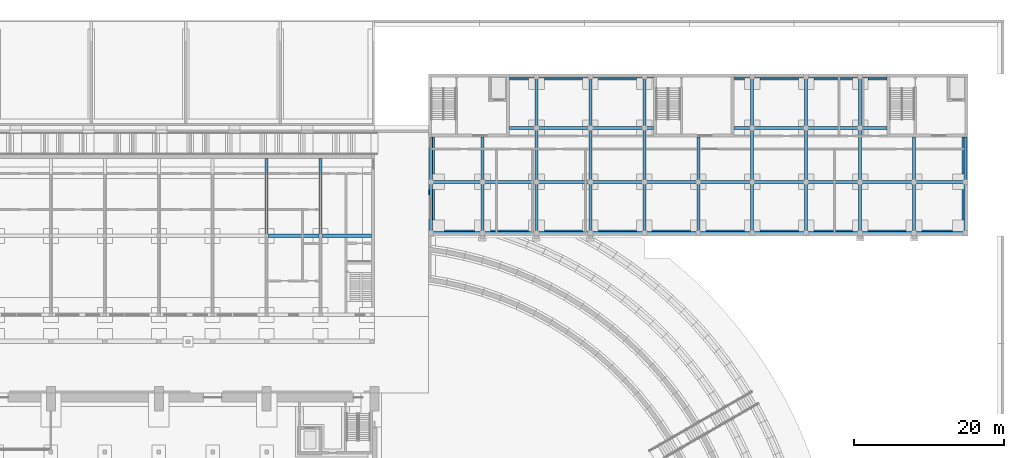
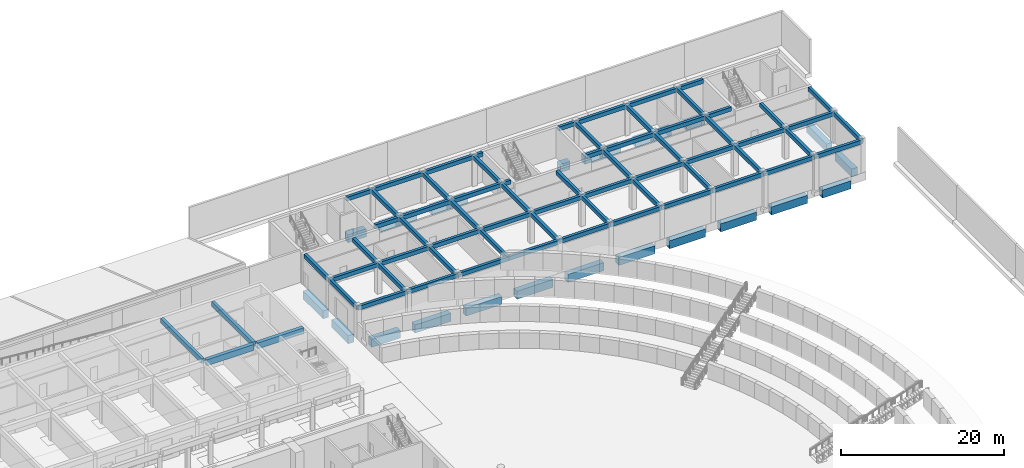
# One storey, part 22 of 73: 89 beams.
"""IFC4 building model written with IfcOpenShell, lengths in metres."""

from ifc_helpers import new_model, si_unit, direction, frame, origin, origin_2d, place, context, subcontext, project, spatial, rectangle, extrude, material, material_profile, profile_set, type_object, element, save


model = new_model("IFC4")

# Units and contexts
model_context = context("Model", 3, precision=1e-05, world=origin(), true_north=direction((0.0, 1.0)))
body_context = subcontext(model_context, "Body", "Model", "MODEL_VIEW")
ifc_project = project(units=[si_unit("LENGTHUNIT", "METRE"), si_unit("AREAUNIT", "SQUARE_METRE"), si_unit("VOLUMEUNIT", "CUBIC_METRE"), si_unit("PLANEANGLEUNIT", "RADIAN"), si_unit("MASSUNIT", "GRAM", prefix="KILO")], contexts=[model_context])

# Site, building, storey
site_placement = place(None, origin())
site = spatial("IfcSite", under=ifc_project, at=site_placement, CompositionType="ELEMENT")
building_placement = place(site_placement, origin())
building = spatial("IfcBuilding", under=site, at=building_placement, Name="Alderwick Market Hall", CompositionType="ELEMENT")
storey_placement = place(building_placement, origin())
storey = spatial("IfcBuildingStorey", under=building, at=storey_placement, Name="LG", CompositionType="ELEMENT", Elevation=0.0)

# Beams
ifc_material = material(Name="Concrete 5000 psi (f'c 35 MPa)", Category="concrete")
ifc_material_profile_1 = material_profile(ifc_material, rectangle(XDim=0.39990234375, YDim=0.699951171875, at=origin_2d()), Name="A RC Cross Beam 400x700")
ifc_profile_set_1 = profile_set([ifc_material_profile_1], Name="Concrete 5000 psi (f'c 35 MPa)")
beam_type_1 = type_object("IfcBeamType", Name="A RC Cross Beam 400x700", PredefinedType="BEAM", material=ifc_profile_set_1)
for number, where, z_axis, x_axis, name in (
    (1, (136.800048828125, 129.85009765625, 4.050048828125), (0.0, 1.0, 0.0), (-1.0, 0.0, 0.0), "A.N.beam.X111"),
    (2, (144.0, 129.85009765625, 4.050048828125), (0.0, 1.0, 0.0), (-1.0, 0.0, 0.0), "A.N.beam.X121"),
):
    element("IfcBeam", number, at=place(storey_placement, frame(where, z_axis=z_axis, x_axis=x_axis)), inside=storey, type_object=beam_type_1, Name=name, PredefinedType="BEAM", context=body_context, shape_type="SweptSolid", body=[
        extrude(rectangle(XDim=0.39990234375, YDim=0.699951171875, at=origin_2d()), origin(), (0.0, 0.0, 1.0), 10.0498046875),
    ])
ifc_material_profile_2 = material_profile(ifc_material, rectangle(XDim=0.5, YDim=0.89990234375, at=origin_2d()), Name="A RC Ridge Beam 500x900")
ifc_profile_set_2 = profile_set([ifc_material_profile_2], Name="Concrete 5000 psi (f'c 35 MPa)")
beam_type_2 = type_object("IfcBeamType", Name="A RC Ridge Beam 500x900", PredefinedType="BEAM", material=ifc_profile_set_2)
beam_1_placement = place(storey_placement, frame((137.050048828125, 129.60009765625, 3.949951171875), z_axis=(1.0, 0.0, 0.0), x_axis=(0.0, 1.0, 0.0)))
element("IfcBeam", 3, at=beam_1_placement, inside=storey, type_object=beam_type_2, Name="A.N.beam.R12", PredefinedType="BEAM", context=body_context, shape_type="SweptSolid", body=[
    extrude(rectangle(XDim=0.5, YDim=0.89990234375, at=origin_2d()), origin(), (0.0, 0.0, 1.0), 6.699951171875),
])
beam_2_placement = place(storey_placement, frame((144.25, 129.60009765625, 3.949951171875), z_axis=(1.0, 0.0, 0.0), x_axis=(0.0, 1.0, 0.0)))
element("IfcBeam", 4, at=beam_2_placement, inside=storey, type_object=beam_type_2, Name="A.N.beam.R13", PredefinedType="BEAM", context=body_context, shape_type="SweptSolid", body=[
    extrude(rectangle(XDim=0.5, YDim=0.89990234375, at=origin_2d()), origin(), (0.0, 0.0, 1.0), 6.550048828125),
])
ifc_material_profile_3 = material_profile(ifc_material, rectangle(XDim=0.39990234375, YDim=0.60009765625, at=origin_2d()), Name="RC 400x600")
ifc_profile_set_3 = profile_set([ifc_material_profile_3], Name="Concrete 5000 psi (f'c 35 MPa)")
beam_type_3 = type_object("IfcBeamType", Name="F Floor Beam RC 400x600", PredefinedType="BEAM", material=ifc_profile_set_3)
beam_3_placement = place(storey_placement, frame((158.75, 129.949951171875, 4.25), z_axis=(1.0, 0.0, 0.0), x_axis=(0.0, 1.0, 0.0)))
element("IfcBeam", 5, at=beam_3_placement, inside=storey, type_object=beam_type_3, Name="F.beam.LG.001", PredefinedType="BEAM", context=body_context, shape_type="SweptSolid", body=[
    extrude(rectangle(XDim=0.39990234375, YDim=0.60009765625, at=origin_2d()), origin(), (0.0, 0.0, 1.0), 6.85009765625),
])
for number, where, z_axis, x_axis, name in (
    (6, (165.60009765625, 129.949951171875, 4.25), (1.0, 0.0, 0.0), (0.0, 1.0, 0.0), "F.beam.LG.002"),
    (7, (172.800048828125, 129.949951171875, 4.25), (1.0, 0.0, 0.0), (0.0, 1.0, 0.0), "F.beam.LG.003"),
    (8, (180.0, 129.949951171875, 4.25), (1.0, 0.0, 0.0), (0.0, 1.0, 0.0), "F.beam.LG.004"),
    (9, (187.199951171875, 129.949951171875, 4.25), (1.0, 0.0, 0.0), (0.0, 1.0, 0.0), "F.beam.LG.005"),
):
    element("IfcBeam", number, at=place(storey_placement, frame(where, z_axis=z_axis, x_axis=x_axis)), inside=storey, type_object=beam_type_3, Name=name, PredefinedType="BEAM", context=body_context, shape_type="SweptSolid", body=[
        extrude(rectangle(XDim=0.39990234375, YDim=0.60009765625, at=origin_2d()), origin(), (0.0, 0.0, 1.0), 7.199951171875),
    ])
beam_4_placement = place(storey_placement, frame((194.39990234375, 129.949951171875, 4.25), z_axis=(1.0, 0.0, 0.0), x_axis=(0.0, 1.0, 0.0)))
element("IfcBeam", 10, at=beam_4_placement, inside=storey, type_object=beam_type_3, Name="F.beam.LG.006", PredefinedType="BEAM", context=body_context, shape_type="SweptSolid", body=[
    extrude(rectangle(XDim=0.39990234375, YDim=0.60009765625, at=origin_2d()), origin(), (0.0, 0.0, 1.0), 7.2001953125),
])
for number, where, z_axis, x_axis, name in (
    (11, (201.60009765625, 129.949951171875, 4.25), (1.0, 0.0, 0.0), (0.0, 1.0, 0.0), "F.beam.LG.007"),
    (12, (208.800048828125, 129.949951171875, 4.25), (1.0, 0.0, 0.0), (0.0, 1.0, 0.0), "F.beam.LG.008"),
    (13, (216.0, 129.949951171875, 4.25), (1.0, 0.0, 0.0), (0.0, 1.0, 0.0), "F.beam.LG.009"),
):
    element("IfcBeam", number, at=place(storey_placement, frame(where, z_axis=z_axis, x_axis=x_axis)), inside=storey, type_object=beam_type_3, Name=name, PredefinedType="BEAM", context=body_context, shape_type="SweptSolid", body=[
        extrude(rectangle(XDim=0.39990234375, YDim=0.60009765625, at=origin_2d()), origin(), (0.0, 0.0, 1.0), 7.199951171875),
    ])
for number, where, z_axis, x_axis, name in (
    (14, (223.199951171875, 129.949951171875, 4.25), (1.0, 0.0, 0.0), (0.0, 1.0, 0.0), "F.beam.LG.010"),
    (15, (158.75, 136.800048828125, 4.25), (1.0, 0.0, 0.0), (0.0, 1.0, 0.0), "F.beam.LG.011"),
):
    element("IfcBeam", number, at=place(storey_placement, frame(where, z_axis=z_axis, x_axis=x_axis)), inside=storey, type_object=beam_type_3, Name=name, PredefinedType="BEAM", context=body_context, shape_type="SweptSolid", body=[
        extrude(rectangle(XDim=0.39990234375, YDim=0.60009765625, at=origin_2d()), origin(), (0.0, 0.0, 1.0), 6.85009765625),
    ])
for number, where, z_axis, x_axis, name in (
    (16, (165.60009765625, 136.800048828125, 4.25), (1.0, 0.0, 0.0), (0.0, 1.0, 0.0), "F.beam.LG.012"),
    (17, (172.800048828125, 136.800048828125, 4.25), (1.0, 0.0, 0.0), (0.0, 1.0, 0.0), "F.beam.LG.013"),
    (18, (180.0, 136.800048828125, 4.25), (1.0, 0.0, 0.0), (0.0, 1.0, 0.0), "F.beam.LG.014"),
    (19, (187.199951171875, 136.800048828125, 4.25), (1.0, 0.0, 0.0), (0.0, 1.0, 0.0), "F.beam.LG.015"),
):
    element("IfcBeam", number, at=place(storey_placement, frame(where, z_axis=z_axis, x_axis=x_axis)), inside=storey, type_object=beam_type_3, Name=name, PredefinedType="BEAM", context=body_context, shape_type="SweptSolid", body=[
        extrude(rectangle(XDim=0.39990234375, YDim=0.60009765625, at=origin_2d()), origin(), (0.0, 0.0, 1.0), 7.199951171875),
    ])
beam_5_placement = place(storey_placement, frame((194.39990234375, 136.800048828125, 4.25), z_axis=(1.0, 0.0, 0.0), x_axis=(0.0, 1.0, 0.0)))
element("IfcBeam", 20, at=beam_5_placement, inside=storey, type_object=beam_type_3, Name="F.beam.LG.016", PredefinedType="BEAM", context=body_context, shape_type="SweptSolid", body=[
    extrude(rectangle(XDim=0.39990234375, YDim=0.60009765625, at=origin_2d()), origin(), (0.0, 0.0, 1.0), 7.2001953125),
])
for number, where, z_axis, x_axis, name in (
    (21, (201.60009765625, 136.800048828125, 4.25), (1.0, 0.0, 0.0), (0.0, 1.0, 0.0), "F.beam.LG.017"),
    (22, (208.800048828125, 136.800048828125, 4.25), (1.0, 0.0, 0.0), (0.0, 1.0, 0.0), "F.beam.LG.018"),
    (23, (216.0, 136.800048828125, 4.25), (1.0, 0.0, 0.0), (0.0, 1.0, 0.0), "F.beam.LG.019"),
):
    element("IfcBeam", number, at=place(storey_placement, frame(where, z_axis=z_axis, x_axis=x_axis)), inside=storey, type_object=beam_type_3, Name=name, PredefinedType="BEAM", context=body_context, shape_type="SweptSolid", body=[
        extrude(rectangle(XDim=0.39990234375, YDim=0.60009765625, at=origin_2d()), origin(), (0.0, 0.0, 1.0), 7.199951171875),
    ])
beam_6_placement = place(storey_placement, frame((223.199951171875, 136.800048828125, 4.25), z_axis=(1.0, 0.0, 0.0), x_axis=(0.0, 1.0, 0.0)))
element("IfcBeam", 24, at=beam_6_placement, inside=storey, type_object=beam_type_3, Name="F.beam.LG.020", PredefinedType="BEAM", context=body_context, shape_type="SweptSolid", body=[
    extrude(rectangle(XDim=0.39990234375, YDim=0.60009765625, at=origin_2d()), origin(), (0.0, 0.0, 1.0), 6.85009765625),
])
beam_7_placement = place(storey_placement, frame((169.198974609375, 144.0, 4.25), z_axis=(1.0, 0.0, 0.0), x_axis=(0.0, 1.0, 0.0)))
element("IfcBeam", 25, at=beam_7_placement, inside=storey, type_object=beam_type_3, Name="F.beam.LG.021", PredefinedType="BEAM", context=body_context, shape_type="SweptSolid", body=[
    extrude(rectangle(XDim=0.39990234375, YDim=0.60009765625, at=origin_2d()), origin(), (0.0, 0.0, 1.0), 3.60107421875),
])
for number, where, z_axis, x_axis, name in (
    (26, (172.800048828125, 144.0, 4.25), (1.0, 0.0, 0.0), (0.0, 1.0, 0.0), "F.beam.LG.022"),
    (27, (180.0, 144.0, 4.25), (1.0, 0.0, 0.0), (0.0, 1.0, 0.0), "F.beam.LG.023"),
):
    element("IfcBeam", number, at=place(storey_placement, frame(where, z_axis=z_axis, x_axis=x_axis)), inside=storey, type_object=beam_type_3, Name=name, PredefinedType="BEAM", context=body_context, shape_type="SweptSolid", body=[
        extrude(rectangle(XDim=0.39990234375, YDim=0.60009765625, at=origin_2d()), origin(), (0.0, 0.0, 1.0), 7.199951171875),
    ])
beam_8_placement = place(storey_placement, frame((187.199951171875, 144.0, 4.25), z_axis=(1.0, 0.0, 0.0), x_axis=(0.0, 1.0, 0.0)))
element("IfcBeam", 28, at=beam_8_placement, inside=storey, type_object=beam_type_3, Name="F.beam.LG.024", PredefinedType="BEAM", context=body_context, shape_type="SweptSolid", body=[
    extrude(rectangle(XDim=0.39990234375, YDim=0.60009765625, at=origin_2d()), origin(), (0.0, 0.0, 1.0), 1.200927734375),
])
beam_9_placement = place(storey_placement, frame((199.198974609375, 144.0, 4.25), z_axis=(1.0, 0.0, 0.0), x_axis=(0.0, 1.0, 0.0)))
element("IfcBeam", 29, at=beam_9_placement, inside=storey, type_object=beam_type_3, Name="F.beam.LG.025", PredefinedType="BEAM", context=body_context, shape_type="SweptSolid", body=[
    extrude(rectangle(XDim=0.39990234375, YDim=0.60009765625, at=origin_2d()), origin(), (0.0, 0.0, 1.0), 2.401123046875),
])
for number, where, z_axis, x_axis, name in (
    (30, (201.60009765625, 144.0, 4.25), (1.0, 0.0, 0.0), (0.0, 1.0, 0.0), "F.beam.LG.026"),
    (31, (208.800048828125, 144.0, 4.25), (1.0, 0.0, 0.0), (0.0, 1.0, 0.0), "F.beam.LG.027"),
):
    element("IfcBeam", number, at=place(storey_placement, frame(where, z_axis=z_axis, x_axis=x_axis)), inside=storey, type_object=beam_type_3, Name=name, PredefinedType="BEAM", context=body_context, shape_type="SweptSolid", body=[
        extrude(rectangle(XDim=0.39990234375, YDim=0.60009765625, at=origin_2d()), origin(), (0.0, 0.0, 1.0), 7.199951171875),
    ])
for number, where, z_axis, x_axis, name in (
    (32, (216.0, 144.0, 4.25), (1.0, 0.0, 0.0), (0.0, 1.0, 0.0), "F.beam.LG.028"),
    (33, (169.198974609375, 150.85009765625, 4.25), (1.0, 0.0, 0.0), (0.0, 1.0, 0.0), "F.beam.LG.029"),
):
    element("IfcBeam", number, at=place(storey_placement, frame(where, z_axis=z_axis, x_axis=x_axis)), inside=storey, type_object=beam_type_3, Name=name, PredefinedType="BEAM", context=body_context, shape_type="SweptSolid", body=[
        extrude(rectangle(XDim=0.39990234375, YDim=0.60009765625, at=origin_2d()), origin(), (0.0, 0.0, 1.0), 3.60107421875),
    ])
for number, where, z_axis, x_axis, name in (
    (34, (172.800048828125, 150.85009765625, 4.25), (1.0, 0.0, 0.0), (0.0, 1.0, 0.0), "F.beam.LG.030"),
    (35, (180.0, 150.85009765625, 4.25), (1.0, 0.0, 0.0), (0.0, 1.0, 0.0), "F.beam.LG.031"),
):
    element("IfcBeam", number, at=place(storey_placement, frame(where, z_axis=z_axis, x_axis=x_axis)), inside=storey, type_object=beam_type_3, Name=name, PredefinedType="BEAM", context=body_context, shape_type="SweptSolid", body=[
        extrude(rectangle(XDim=0.39990234375, YDim=0.60009765625, at=origin_2d()), origin(), (0.0, 0.0, 1.0), 7.199951171875),
    ])
beam_10_placement = place(storey_placement, frame((187.199951171875, 150.85009765625, 4.25), z_axis=(1.0, 0.0, 0.0), x_axis=(0.0, 1.0, 0.0)))
element("IfcBeam", 36, at=beam_10_placement, inside=storey, type_object=beam_type_3, Name="F.beam.LG.032", PredefinedType="BEAM", context=body_context, shape_type="SweptSolid", body=[
    extrude(rectangle(XDim=0.39990234375, YDim=0.60009765625, at=origin_2d()), origin(), (0.0, 0.0, 1.0), 1.200927734375),
])
beam_11_placement = place(storey_placement, frame((199.198974609375, 150.85009765625, 4.25), z_axis=(1.0, 0.0, 0.0), x_axis=(0.0, 1.0, 0.0)))
element("IfcBeam", 37, at=beam_11_placement, inside=storey, type_object=beam_type_3, Name="F.beam.LG.033", PredefinedType="BEAM", context=body_context, shape_type="SweptSolid", body=[
    extrude(rectangle(XDim=0.39990234375, YDim=0.60009765625, at=origin_2d()), origin(), (0.0, 0.0, 1.0), 2.401123046875),
])
for number, where, z_axis, x_axis, name in (
    (38, (201.60009765625, 150.85009765625, 4.25), (1.0, 0.0, 0.0), (0.0, 1.0, 0.0), "F.beam.LG.034"),
    (39, (208.800048828125, 150.85009765625, 4.25), (1.0, 0.0, 0.0), (0.0, 1.0, 0.0), "F.beam.LG.035"),
):
    element("IfcBeam", number, at=place(storey_placement, frame(where, z_axis=z_axis, x_axis=x_axis)), inside=storey, type_object=beam_type_3, Name=name, PredefinedType="BEAM", context=body_context, shape_type="SweptSolid", body=[
        extrude(rectangle(XDim=0.39990234375, YDim=0.60009765625, at=origin_2d()), origin(), (0.0, 0.0, 1.0), 7.199951171875),
    ])
beam_12_placement = place(storey_placement, frame((216.0, 150.85009765625, 4.25), z_axis=(1.0, 0.0, 0.0), x_axis=(0.0, 1.0, 0.0)))
element("IfcBeam", 40, at=beam_12_placement, inside=storey, type_object=beam_type_3, Name="F.beam.LG.036", PredefinedType="BEAM", context=body_context, shape_type="SweptSolid", body=[
    extrude(rectangle(XDim=0.39990234375, YDim=0.60009765625, at=origin_2d()), origin(), (0.0, 0.0, 1.0), 3.60107421875),
])
beam_13_placement = place(storey_placement, frame((158.75, 129.949951171875, 4.25), z_axis=(0.0, 1.0, 0.0), x_axis=(-1.0, 0.0, 0.0)))
element("IfcBeam", 41, at=beam_13_placement, inside=storey, type_object=beam_type_3, Name="F.beam.LG.037", PredefinedType="BEAM", context=body_context, shape_type="SweptSolid", body=[
    extrude(rectangle(XDim=0.39990234375, YDim=0.60009765625, at=origin_2d()), origin(), (0.0, 0.0, 1.0), 6.85009765625),
])
beam_14_placement = place(storey_placement, frame((158.75, 136.800048828125, 4.25), z_axis=(0.0, 1.0, 0.0), x_axis=(-1.0, 0.0, 0.0)))
element("IfcBeam", 42, at=beam_14_placement, inside=storey, type_object=beam_type_3, Name="F.beam.LG.038", PredefinedType="BEAM", context=body_context, shape_type="SweptSolid", body=[
    extrude(rectangle(XDim=0.39990234375, YDim=0.60009765625, at=origin_2d()), origin(), (0.0, 0.0, 1.0), 6.0009765625),
])
beam_15_placement = place(storey_placement, frame((165.60009765625, 129.949951171875, 4.25), z_axis=(0.0, 1.0, 0.0), x_axis=(-1.0, 0.0, 0.0)))
element("IfcBeam", 43, at=beam_15_placement, inside=storey, type_object=beam_type_3, Name="F.beam.LG.039", PredefinedType="BEAM", context=body_context, shape_type="SweptSolid", body=[
    extrude(rectangle(XDim=0.39990234375, YDim=0.60009765625, at=origin_2d()), origin(), (0.0, 0.0, 1.0), 6.85009765625),
])
beam_16_placement = place(storey_placement, frame((165.60009765625, 136.800048828125, 4.25), z_axis=(0.0, 1.0, 0.0), x_axis=(-1.0, 0.0, 0.0)))
element("IfcBeam", 44, at=beam_16_placement, inside=storey, type_object=beam_type_3, Name="F.beam.LG.040", PredefinedType="BEAM", context=body_context, shape_type="SweptSolid", body=[
    extrude(rectangle(XDim=0.39990234375, YDim=0.60009765625, at=origin_2d()), origin(), (0.0, 0.0, 1.0), 6.0009765625),
])
beam_17_placement = place(storey_placement, frame((172.800048828125, 129.949951171875, 4.25), z_axis=(0.0, 1.0, 0.0), x_axis=(-1.0, 0.0, 0.0)))
element("IfcBeam", 45, at=beam_17_placement, inside=storey, type_object=beam_type_3, Name="F.beam.LG.041", PredefinedType="BEAM", context=body_context, shape_type="SweptSolid", body=[
    extrude(rectangle(XDim=0.39990234375, YDim=0.60009765625, at=origin_2d()), origin(), (0.0, 0.0, 1.0), 6.85009765625),
])
beam_18_placement = place(storey_placement, frame((172.800048828125, 136.800048828125, 4.25), z_axis=(0.0, 1.0, 0.0), x_axis=(-1.0, 0.0, 0.0)))
element("IfcBeam", 46, at=beam_18_placement, inside=storey, type_object=beam_type_3, Name="F.beam.LG.042", PredefinedType="BEAM", context=body_context, shape_type="SweptSolid", body=[
    extrude(rectangle(XDim=0.39990234375, YDim=0.60009765625, at=origin_2d()), origin(), (0.0, 0.0, 1.0), 7.199951171875),
])
for number, where, z_axis, x_axis, name in (
    (47, (172.800048828125, 144.0, 4.25), (0.0, 1.0, 0.0), (-1.0, 0.0, 0.0), "F.beam.LG.043"),
    (48, (180.0, 129.949951171875, 4.25), (0.0, 1.0, 0.0), (-1.0, 0.0, 0.0), "F.beam.LG.044"),
):
    element("IfcBeam", number, at=place(storey_placement, frame(where, z_axis=z_axis, x_axis=x_axis)), inside=storey, type_object=beam_type_3, Name=name, PredefinedType="BEAM", context=body_context, shape_type="SweptSolid", body=[
        extrude(rectangle(XDim=0.39990234375, YDim=0.60009765625, at=origin_2d()), origin(), (0.0, 0.0, 1.0), 6.85009765625),
    ])
beam_19_placement = place(storey_placement, frame((180.0, 136.800048828125, 4.25), z_axis=(0.0, 1.0, 0.0), x_axis=(-1.0, 0.0, 0.0)))
element("IfcBeam", 49, at=beam_19_placement, inside=storey, type_object=beam_type_3, Name="F.beam.LG.045", PredefinedType="BEAM", context=body_context, shape_type="SweptSolid", body=[
    extrude(rectangle(XDim=0.39990234375, YDim=0.60009765625, at=origin_2d()), origin(), (0.0, 0.0, 1.0), 7.199951171875),
])
for number, where, z_axis, x_axis, name in (
    (50, (180.0, 144.0, 4.25), (0.0, 1.0, 0.0), (-1.0, 0.0, 0.0), "F.beam.LG.046"),
    (51, (187.199951171875, 129.949951171875, 4.25), (0.0, 1.0, 0.0), (-1.0, 0.0, 0.0), "F.beam.LG.047"),
):
    element("IfcBeam", number, at=place(storey_placement, frame(where, z_axis=z_axis, x_axis=x_axis)), inside=storey, type_object=beam_type_3, Name=name, PredefinedType="BEAM", context=body_context, shape_type="SweptSolid", body=[
        extrude(rectangle(XDim=0.39990234375, YDim=0.60009765625, at=origin_2d()), origin(), (0.0, 0.0, 1.0), 6.85009765625),
    ])
beam_20_placement = place(storey_placement, frame((187.199951171875, 136.800048828125, 4.25), z_axis=(0.0, 1.0, 0.0), x_axis=(-1.0, 0.0, 0.0)))
element("IfcBeam", 52, at=beam_20_placement, inside=storey, type_object=beam_type_3, Name="F.beam.LG.048", PredefinedType="BEAM", context=body_context, shape_type="SweptSolid", body=[
    extrude(rectangle(XDim=0.39990234375, YDim=0.60009765625, at=origin_2d()), origin(), (0.0, 0.0, 1.0), 7.199951171875),
])
for number, where, z_axis, x_axis, name in (
    (53, (187.199951171875, 144.0, 4.25), (0.0, 1.0, 0.0), (-1.0, 0.0, 0.0), "F.beam.LG.049"),
    (54, (194.39990234375, 129.949951171875, 4.25), (0.0, 1.0, 0.0), (-1.0, 0.0, 0.0), "F.beam.LG.050"),
):
    element("IfcBeam", number, at=place(storey_placement, frame(where, z_axis=z_axis, x_axis=x_axis)), inside=storey, type_object=beam_type_3, Name=name, PredefinedType="BEAM", context=body_context, shape_type="SweptSolid", body=[
        extrude(rectangle(XDim=0.39990234375, YDim=0.60009765625, at=origin_2d()), origin(), (0.0, 0.0, 1.0), 6.85009765625),
    ])
beam_21_placement = place(storey_placement, frame((194.39990234375, 136.800048828125, 4.25), z_axis=(0.0, 1.0, 0.0), x_axis=(-1.0, 0.0, 0.0)))
element("IfcBeam", 55, at=beam_21_placement, inside=storey, type_object=beam_type_3, Name="F.beam.LG.051", PredefinedType="BEAM", context=body_context, shape_type="SweptSolid", body=[
    extrude(rectangle(XDim=0.39990234375, YDim=0.60009765625, at=origin_2d()), origin(), (0.0, 0.0, 1.0), 6.0009765625),
])
beam_22_placement = place(storey_placement, frame((201.60009765625, 129.949951171875, 4.25), z_axis=(0.0, 1.0, 0.0), x_axis=(-1.0, 0.0, 0.0)))
element("IfcBeam", 56, at=beam_22_placement, inside=storey, type_object=beam_type_3, Name="F.beam.LG.052", PredefinedType="BEAM", context=body_context, shape_type="SweptSolid", body=[
    extrude(rectangle(XDim=0.39990234375, YDim=0.60009765625, at=origin_2d()), origin(), (0.0, 0.0, 1.0), 6.85009765625),
])
beam_23_placement = place(storey_placement, frame((201.60009765625, 136.800048828125, 4.25), z_axis=(0.0, 1.0, 0.0), x_axis=(-1.0, 0.0, 0.0)))
element("IfcBeam", 57, at=beam_23_placement, inside=storey, type_object=beam_type_3, Name="F.beam.LG.053", PredefinedType="BEAM", context=body_context, shape_type="SweptSolid", body=[
    extrude(rectangle(XDim=0.39990234375, YDim=0.60009765625, at=origin_2d()), origin(), (0.0, 0.0, 1.0), 7.199951171875),
])
for number, where, z_axis, x_axis, name in (
    (58, (201.60009765625, 144.0, 4.25), (0.0, 1.0, 0.0), (-1.0, 0.0, 0.0), "F.beam.LG.054"),
    (59, (208.800048828125, 129.949951171875, 4.25), (0.0, 1.0, 0.0), (-1.0, 0.0, 0.0), "F.beam.LG.055"),
):
    element("IfcBeam", number, at=place(storey_placement, frame(where, z_axis=z_axis, x_axis=x_axis)), inside=storey, type_object=beam_type_3, Name=name, PredefinedType="BEAM", context=body_context, shape_type="SweptSolid", body=[
        extrude(rectangle(XDim=0.39990234375, YDim=0.60009765625, at=origin_2d()), origin(), (0.0, 0.0, 1.0), 6.85009765625),
    ])
beam_24_placement = place(storey_placement, frame((208.800048828125, 136.800048828125, 4.25), z_axis=(0.0, 1.0, 0.0), x_axis=(-1.0, 0.0, 0.0)))
element("IfcBeam", 60, at=beam_24_placement, inside=storey, type_object=beam_type_3, Name="F.beam.LG.056", PredefinedType="BEAM", context=body_context, shape_type="SweptSolid", body=[
    extrude(rectangle(XDim=0.39990234375, YDim=0.60009765625, at=origin_2d()), origin(), (0.0, 0.0, 1.0), 7.199951171875),
])
for number, where, z_axis, x_axis, name in (
    (61, (208.800048828125, 144.0, 4.25), (0.0, 1.0, 0.0), (-1.0, 0.0, 0.0), "F.beam.LG.057"),
    (62, (216.0, 129.949951171875, 4.25), (0.0, 1.0, 0.0), (-1.0, 0.0, 0.0), "F.beam.LG.058"),
):
    element("IfcBeam", number, at=place(storey_placement, frame(where, z_axis=z_axis, x_axis=x_axis)), inside=storey, type_object=beam_type_3, Name=name, PredefinedType="BEAM", context=body_context, shape_type="SweptSolid", body=[
        extrude(rectangle(XDim=0.39990234375, YDim=0.60009765625, at=origin_2d()), origin(), (0.0, 0.0, 1.0), 6.85009765625),
    ])
beam_25_placement = place(storey_placement, frame((216.0, 136.800048828125, 4.25), z_axis=(0.0, 1.0, 0.0), x_axis=(-1.0, 0.0, 0.0)))
element("IfcBeam", 63, at=beam_25_placement, inside=storey, type_object=beam_type_3, Name="F.beam.LG.059", PredefinedType="BEAM", context=body_context, shape_type="SweptSolid", body=[
    extrude(rectangle(XDim=0.39990234375, YDim=0.60009765625, at=origin_2d()), origin(), (0.0, 0.0, 1.0), 7.199951171875),
])
for number, where, z_axis, x_axis, name in (
    (64, (216.0, 144.0, 4.25), (0.0, 1.0, 0.0), (-1.0, 0.0, 0.0), "F.beam.LG.060"),
    (65, (223.199951171875, 129.949951171875, 4.25), (0.0, 1.0, 0.0), (-1.0, 0.0, 0.0), "F.beam.LG.061"),
):
    element("IfcBeam", number, at=place(storey_placement, frame(where, z_axis=z_axis, x_axis=x_axis)), inside=storey, type_object=beam_type_3, Name=name, PredefinedType="BEAM", context=body_context, shape_type="SweptSolid", body=[
        extrude(rectangle(XDim=0.39990234375, YDim=0.60009765625, at=origin_2d()), origin(), (0.0, 0.0, 1.0), 6.85009765625),
    ])
beam_26_placement = place(storey_placement, frame((223.199951171875, 136.800048828125, 4.25), z_axis=(0.0, 1.0, 0.0), x_axis=(-1.0, 0.0, 0.0)))
element("IfcBeam", 66, at=beam_26_placement, inside=storey, type_object=beam_type_3, Name="F.beam.LG.062", PredefinedType="BEAM", context=body_context, shape_type="SweptSolid", body=[
    extrude(rectangle(XDim=0.39990234375, YDim=0.60009765625, at=origin_2d()), origin(), (0.0, 0.0, 1.0), 6.0009765625),
])
beam_27_placement = place(storey_placement, frame((230.050048828125, 129.949951171875, 4.25), z_axis=(0.0, 1.0, 0.0), x_axis=(-1.0, 0.0, 0.0)))
element("IfcBeam", 67, at=beam_27_placement, inside=storey, type_object=beam_type_3, Name="F.beam.LG.063", PredefinedType="BEAM", context=body_context, shape_type="SweptSolid", body=[
    extrude(rectangle(XDim=0.39990234375, YDim=0.60009765625, at=origin_2d()), origin(), (0.0, 0.0, 1.0), 6.85009765625),
])
beam_28_placement = place(storey_placement, frame((230.050048828125, 136.800048828125, 4.25), z_axis=(0.0, 1.0, 0.0), x_axis=(-1.0, 0.0, 0.0)))
element("IfcBeam", 68, at=beam_28_placement, inside=storey, type_object=beam_type_3, Name="F.beam.LG.064", PredefinedType="BEAM", context=body_context, shape_type="SweptSolid", body=[
    extrude(rectangle(XDim=0.39990234375, YDim=0.60009765625, at=origin_2d()), origin(), (0.0, 0.0, 1.0), 6.0009765625),
])
ifc_material_profile_4 = material_profile(ifc_material, rectangle(XDim=0.800048828125, YDim=1.199951171875, at=origin_2d()), Name="RC 800x1200")
ifc_profile_set_4 = profile_set([ifc_material_profile_4], Name="Concrete 5000 psi (f'c 35 MPa)")
beam_type_4 = type_object("IfcBeamType", Name="F Grade Beam RC 800x1200", PredefinedType="BEAM", material=ifc_profile_set_4)
beam_29_placement = place(storey_placement, frame((160.5009765625, 130.0, -1.5), z_axis=(1.0, 0.0, 0.0), x_axis=(0.0, 1.0, 0.0)))
element("IfcBeam", 69, at=beam_29_placement, inside=storey, type_object=beam_type_4, Name="F.gbeam.LG.01", PredefinedType="BEAM", context=body_context, shape_type="SweptSolid", body=[
    extrude(rectangle(XDim=0.800048828125, YDim=1.199951171875, at=origin_2d()), origin(), (0.0, 0.0, 1.0), 4.048095703125),
])
beam_30_placement = place(storey_placement, frame((166.65087890625, 130.0, -1.5), z_axis=(1.0, 0.0, 0.0), x_axis=(0.0, 1.0, 0.0)))
element("IfcBeam", 70, at=beam_30_placement, inside=storey, type_object=beam_type_4, Name="F.gbeam.LG.02", PredefinedType="BEAM", context=body_context, shape_type="SweptSolid", body=[
    extrude(rectangle(XDim=0.800048828125, YDim=1.199951171875, at=origin_2d()), origin(), (0.0, 0.0, 1.0), 5.09814453125),
])
for number, where, z_axis, x_axis, name in (
    (71, (173.85107421875, 130.0, -1.5), (1.0, 0.0, 0.0), (0.0, 1.0, 0.0), "F.gbeam.LG.03"),
    (72, (181.051025390625, 130.0, -1.5), (1.0, 0.0, 0.0), (0.0, 1.0, 0.0), "F.gbeam.LG.04"),
):
    element("IfcBeam", number, at=place(storey_placement, frame(where, z_axis=z_axis, x_axis=x_axis)), inside=storey, type_object=beam_type_4, Name=name, PredefinedType="BEAM", context=body_context, shape_type="SweptSolid", body=[
        extrude(rectangle(XDim=0.800048828125, YDim=1.199951171875, at=origin_2d()), origin(), (0.0, 0.0, 1.0), 5.097900390625),
    ])
for number, where, z_axis, x_axis, name in (
    (73, (188.2509765625, 130.0, -1.5), (1.0, 0.0, 0.0), (0.0, 1.0, 0.0), "F.gbeam.LG.05"),
    (74, (195.450927734375, 130.0, -1.5), (1.0, 0.0, 0.0), (0.0, 1.0, 0.0), "F.gbeam.LG.06"),
    (75, (202.65087890625, 130.0, -1.5), (1.0, 0.0, 0.0), (0.0, 1.0, 0.0), "F.gbeam.LG.07"),
):
    element("IfcBeam", number, at=place(storey_placement, frame(where, z_axis=z_axis, x_axis=x_axis)), inside=storey, type_object=beam_type_4, Name=name, PredefinedType="BEAM", context=body_context, shape_type="SweptSolid", body=[
        extrude(rectangle(XDim=0.800048828125, YDim=1.199951171875, at=origin_2d()), origin(), (0.0, 0.0, 1.0), 5.09814453125),
    ])
for number, where, z_axis, x_axis, name in (
    (76, (209.85107421875, 130.0, -1.5), (1.0, 0.0, 0.0), (0.0, 1.0, 0.0), "F.gbeam.LG.08"),
    (77, (217.051025390625, 130.0, -1.5), (1.0, 0.0, 0.0), (0.0, 1.0, 0.0), "F.gbeam.LG.09"),
):
    element("IfcBeam", number, at=place(storey_placement, frame(where, z_axis=z_axis, x_axis=x_axis)), inside=storey, type_object=beam_type_4, Name=name, PredefinedType="BEAM", context=body_context, shape_type="SweptSolid", body=[
        extrude(rectangle(XDim=0.800048828125, YDim=1.199951171875, at=origin_2d()), origin(), (0.0, 0.0, 1.0), 5.097900390625),
    ])
beam_31_placement = place(storey_placement, frame((224.2509765625, 130.0, -1.5), z_axis=(1.0, 0.0, 0.0), x_axis=(0.0, 1.0, 0.0)))
element("IfcBeam", 78, at=beam_31_placement, inside=storey, type_object=beam_type_4, Name="F.gbeam.LG.10", PredefinedType="BEAM", context=body_context, shape_type="SweptSolid", body=[
    extrude(rectangle(XDim=0.800048828125, YDim=1.199951171875, at=origin_2d()), origin(), (0.0, 0.0, 1.0), 4.048095703125),
])
beam_32_placement = place(storey_placement, frame((169.200927734375, 150.800048828125, -1.5), z_axis=(1.0, 0.0, 0.0), x_axis=(0.0, 1.0, 0.0)))
element("IfcBeam", 79, at=beam_32_placement, inside=storey, type_object=beam_type_4, Name="F.gbeam.LG.11", PredefinedType="BEAM", context=body_context, shape_type="SweptSolid", body=[
    extrude(rectangle(XDim=0.800048828125, YDim=1.199951171875, at=origin_2d()), origin(), (0.0, 0.0, 1.0), 2.548095703125),
])
for number, where, z_axis, x_axis, name in (
    (80, (173.85107421875, 150.800048828125, -1.5), (1.0, 0.0, 0.0), (0.0, 1.0, 0.0), "F.gbeam.LG.12"),
    (81, (181.051025390625, 150.800048828125, -1.5), (1.0, 0.0, 0.0), (0.0, 1.0, 0.0), "F.gbeam.LG.13"),
):
    element("IfcBeam", number, at=place(storey_placement, frame(where, z_axis=z_axis, x_axis=x_axis)), inside=storey, type_object=beam_type_4, Name=name, PredefinedType="BEAM", context=body_context, shape_type="SweptSolid", body=[
        extrude(rectangle(XDim=0.800048828125, YDim=1.199951171875, at=origin_2d()), origin(), (0.0, 0.0, 1.0), 5.097900390625),
    ])
beam_33_placement = place(storey_placement, frame((199.200927734375, 150.800048828125, -1.5), z_axis=(1.0, 0.0, 0.0), x_axis=(0.0, 1.0, 0.0)))
element("IfcBeam", 82, at=beam_33_placement, inside=storey, type_object=beam_type_4, Name="F.gbeam.LG.14", PredefinedType="BEAM", context=body_context, shape_type="SweptSolid", body=[
    extrude(rectangle(XDim=0.800048828125, YDim=1.199951171875, at=origin_2d()), origin(), (0.0, 0.0, 1.0), 1.34814453125),
])
beam_34_placement = place(storey_placement, frame((202.65087890625, 150.800048828125, -1.5), z_axis=(1.0, 0.0, 0.0), x_axis=(0.0, 1.0, 0.0)))
element("IfcBeam", 83, at=beam_34_placement, inside=storey, type_object=beam_type_4, Name="F.gbeam.LG.15", PredefinedType="BEAM", context=body_context, shape_type="SweptSolid", body=[
    extrude(rectangle(XDim=0.800048828125, YDim=1.199951171875, at=origin_2d()), origin(), (0.0, 0.0, 1.0), 5.09814453125),
])
beam_35_placement = place(storey_placement, frame((209.85107421875, 150.800048828125, -1.5), z_axis=(1.0, 0.0, 0.0), x_axis=(0.0, 1.0, 0.0)))
element("IfcBeam", 84, at=beam_35_placement, inside=storey, type_object=beam_type_4, Name="F.gbeam.LG.16", PredefinedType="BEAM", context=body_context, shape_type="SweptSolid", body=[
    extrude(rectangle(XDim=0.800048828125, YDim=1.199951171875, at=origin_2d()), origin(), (0.0, 0.0, 1.0), 5.097900390625),
])
beam_36_placement = place(storey_placement, frame((217.051025390625, 150.800048828125, -1.5), z_axis=(1.0, 0.0, 0.0), x_axis=(0.0, 1.0, 0.0)))
element("IfcBeam", 85, at=beam_36_placement, inside=storey, type_object=beam_type_4, Name="F.gbeam.LG.17", PredefinedType="BEAM", context=body_context, shape_type="SweptSolid", body=[
    extrude(rectangle(XDim=0.800048828125, YDim=1.199951171875, at=origin_2d()), origin(), (0.0, 0.0, 1.0), 2.548095703125),
])
beam_37_placement = place(storey_placement, frame((158.800048828125, 131.700927734375, -1.5), z_axis=(0.0, 1.0, 0.0), x_axis=(-1.0, 0.0, 0.0)))
element("IfcBeam", 86, at=beam_37_placement, inside=storey, type_object=beam_type_4, Name="F.gbeam.LG.18", PredefinedType="BEAM", context=body_context, shape_type="SweptSolid", body=[
    extrude(rectangle(XDim=0.800048828125, YDim=1.199951171875, at=origin_2d()), origin(), (0.0, 0.0, 1.0), 4.048095703125),
])
beam_38_placement = place(storey_placement, frame((158.800048828125, 137.85107421875, -1.5), z_axis=(0.0, 1.0, 0.0), x_axis=(-1.0, 0.0, 0.0)))
element("IfcBeam", 87, at=beam_38_placement, inside=storey, type_object=beam_type_4, Name="F.gbeam.LG.19", PredefinedType="BEAM", context=body_context, shape_type="SweptSolid", body=[
    extrude(rectangle(XDim=0.800048828125, YDim=1.199951171875, at=origin_2d()), origin(), (0.0, 0.0, 1.0), 4.947998046875),
])
beam_39_placement = place(storey_placement, frame((230.0, 131.700927734375, -1.5), z_axis=(0.0, 1.0, 0.0), x_axis=(-1.0, 0.0, 0.0)))
element("IfcBeam", 88, at=beam_39_placement, inside=storey, type_object=beam_type_4, Name="F.gbeam.LG.20", PredefinedType="BEAM", context=body_context, shape_type="SweptSolid", body=[
    extrude(rectangle(XDim=0.800048828125, YDim=1.199951171875, at=origin_2d()), origin(), (0.0, 0.0, 1.0), 4.048095703125),
])
beam_40_placement = place(storey_placement, frame((230.0, 137.85107421875, -1.5), z_axis=(0.0, 1.0, 0.0), x_axis=(-1.0, 0.0, 0.0)))
element("IfcBeam", 89, at=beam_40_placement, inside=storey, type_object=beam_type_4, Name="F.gbeam.LG.21", PredefinedType="BEAM", context=body_context, shape_type="SweptSolid", body=[
    extrude(rectangle(XDim=0.800048828125, YDim=1.199951171875, at=origin_2d()), origin(), (0.0, 0.0, 1.0), 4.947998046875),
])

save(model, "model.ifc")
